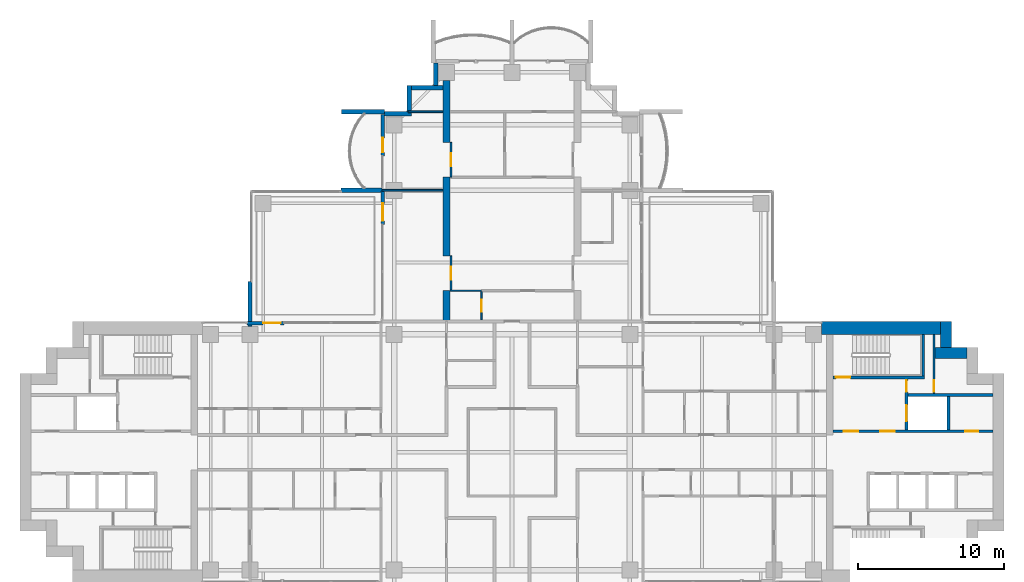
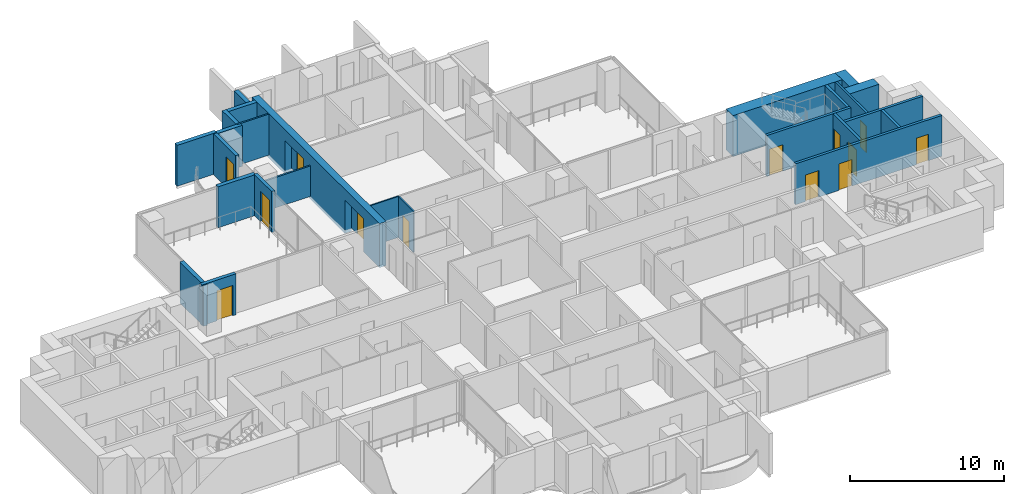
# One storey, part 13 of 18: 27 walls, 13 doors, 13 openings.
"""IFC4 building model written with IfcOpenShell, lengths in metres."""

from ifc_helpers import new_model, si_unit, direction, frame, frame_2d, origin, place, context, subcontext, project, spatial, polyline, rectangle, outline, extrude, material, layer, layer_set, material_profile, profile_set, type_object, element, fill, save


model = new_model("IFC4")

# Units and contexts
model_context = context("Model", 3, precision=1e-05, world=origin(), true_north=direction((0.0, 1.0)))
body_context = subcontext(model_context, "Body", "Model", "MODEL_VIEW")
ifc_project = project(units=[si_unit("LENGTHUNIT", "METRE"), si_unit("AREAUNIT", "SQUARE_METRE"), si_unit("VOLUMEUNIT", "CUBIC_METRE"), si_unit("PLANEANGLEUNIT", "RADIAN"), si_unit("MASSUNIT", "GRAM", prefix="KILO")], contexts=[model_context])

# Site, building, storey
site_placement = place(None, origin())
site = spatial("IfcSite", under=ifc_project, at=site_placement, CompositionType="ELEMENT")
building_placement = place(site_placement, origin())
building = spatial("IfcBuilding", under=site, at=building_placement, Name="Perihelion Cross Residences", CompositionType="ELEMENT")
storey_placement = place(building_placement, frame((0.0, 0.0, 130.39990234375)))
storey = spatial("IfcBuildingStorey", under=building, at=storey_placement, Name="L31", CompositionType="ELEMENT", Elevation=130.39990234375)

# Wall, opening, door
ifc_material_1 = material(Name="Concrete C30/37, bronze-clad", Category="concrete")
ifc_layer_1 = layer(ifc_material_1, 0.25)
ifc_layer_set_1 = layer_set([ifc_layer_1], Name="Bronze-clad pier wall 250")
wall_type_1 = type_object("IfcWallType", Name="Bronze-clad pier wall 250", PredefinedType="SOLIDWALL", material=ifc_layer_set_1)
wall_1_placement = place(storey_placement, frame((-8.875, 23.199951171875, 0.0), z_axis=(0.0, 0.0, 1.0), x_axis=(0.0, -1.0, 0.0)))
wall_1 = element("IfcWall", 1, at=wall_1_placement, inside=storey, type_object=wall_type_1, Name="Wall FW1 L31 north side west bay 1 pier", PredefinedType="SOLIDWALL", context=body_context, shape_type="SweptSolid", body=[
    extrude(rectangle(XDim=2.849853515625, YDim=0.25, at=frame_2d((1.4248046875, 0.0))), origin(), (0.0, 0.0, 1.0), 3.25),
])
opening_1_placement = place(wall_1_placement, frame((1.60009765625, 0.0, 0.0)))
opening_1 = element("IfcOpeningElement", 2, at=opening_1_placement, cuts=wall_1, Name="Opening L31.E06", PredefinedType="OPENING", context=body_context, shape_type="SweptSolid", body=[
    extrude(rectangle(XDim=1.0, YDim=2.39990234375, at=frame_2d((0.5, 1.199951171875))), frame((0.0, 0.135009765625, 0.0), z_axis=(0.0, -1.0, 0.0), x_axis=(1.0, 0.0, 0.0)), (0.0, 0.0, 1.0), 0.27001953125),
])
ifc_material_2 = material(Name="Bronze anodised aluminium, glazed", Category="aluminium")
door_type_1 = type_object("IfcDoorType", Name="Balcony door 1000 x 2400", OperationType="NOTDEFINED", PredefinedType="DOOR", material=ifc_material_2)
door_1_placement = place(opening_1_placement, origin())
door_1 = element("IfcDoor", 3, at=door_1_placement, inside=storey, type_object=door_type_1, Name="Door L31.E06 north side west bay 1", OperationType="SINGLE_SWING_LEFT", OverallHeight=2.39990234375, OverallWidth=1.0, PredefinedType="DOOR", context=body_context, shape_type="SweptSolid", body=[
    extrude(rectangle(XDim=1.0, YDim=2.39990234375, at=frame_2d((0.5, 1.199951171875))), frame((0.0, 0.02490234375, 0.0), z_axis=(0.0, -1.0, 0.0), x_axis=(1.0, 0.0, 0.0)), (0.0, 0.0, 1.0), 0.050048828125),
])
fill(opening_1, door_1)

wall_2_placement = place(storey_placement, frame((-8.875, 17.93994140625, 0.0), z_axis=(0.0, 0.0, 1.0), x_axis=(0.0, -1.0, 0.0)))
wall_2 = element("IfcWall", 4, at=wall_2_placement, inside=storey, type_object=wall_type_1, Name="Wall FW1 L31 north side west bay 2 pier", PredefinedType="SOLIDWALL", context=body_context, shape_type="SweptSolid", body=[
    extrude(rectangle(XDim=2.2900390625, YDim=0.25, at=frame_2d((1.14501953125, 0.0))), origin(), (0.0, 0.0, 1.0), 3.25),
])
opening_2_placement = place(wall_2_placement, frame((0.840087890625, 0.0, 0.0)))
opening_2 = element("IfcOpeningElement", 5, at=opening_2_placement, cuts=wall_2, Name="Opening L31.E07", PredefinedType="OPENING", context=body_context, shape_type="SweptSolid", body=[
    extrude(rectangle(XDim=1.199951171875, YDim=2.39990234375, at=frame_2d((0.60009765625, 1.199951171875))), frame((0.0, 0.135009765625, 0.0), z_axis=(0.0, -1.0, 0.0), x_axis=(1.0, 0.0, 0.0)), (0.0, 0.0, 1.0), 0.27001953125),
])
ifc_material_3 = material(Name="Bronze anodised aluminium, glazed", Category="aluminium")
door_type_2 = type_object("IfcDoorType", Name="Balcony door 1200 x 2400", OperationType="NOTDEFINED", PredefinedType="DOOR", material=ifc_material_3)
door_2_placement = place(opening_2_placement, origin())
door_2 = element("IfcDoor", 6, at=door_2_placement, inside=storey, type_object=door_type_2, Name="Door L31.E07 north side west bay 2", OperationType="SINGLE_SWING_RIGHT", OverallHeight=2.39990234375, OverallWidth=1.199951171875, PredefinedType="DOOR", context=body_context, shape_type="SweptSolid", body=[
    extrude(rectangle(XDim=1.199951171875, YDim=2.39990234375, at=frame_2d((0.60009765625, 1.199951171875))), frame((0.0, 0.02490234375, 0.0), z_axis=(0.0, -1.0, 0.0), x_axis=(1.0, 0.0, 0.0)), (0.0, 0.0, 1.0), 0.050048828125),
])
fill(opening_2, door_2)

wall_3_placement = place(storey_placement, frame((-15.64990234375, 8.875, 0.0), z_axis=(0.0, 0.0, 1.0), x_axis=(-1.0, 0.0, 0.0)))
wall_3 = element("IfcWall", 7, at=wall_3_placement, inside=storey, type_object=wall_type_1, Name="Wall FW1 L31 west side north bay 1 pier", PredefinedType="SOLIDWALL", context=body_context, shape_type="SweptSolid", body=[
    extrude(rectangle(XDim=2.550048828125, YDim=0.25, at=frame_2d((1.27490234375, 0.0))), origin(), (0.0, 0.0, 1.0), 3.25),
])
opening_3_placement = place(wall_3_placement, frame((0.25, 0.0, 0.0)))
opening_3 = element("IfcOpeningElement", 8, at=opening_3_placement, cuts=wall_3, Name="Opening L31.E08", PredefinedType="OPENING", context=body_context, shape_type="SweptSolid", body=[
    extrude(rectangle(XDim=1.199951171875, YDim=2.39990234375, at=frame_2d((0.60009765625, 1.199951171875))), frame((0.0, 0.135009765625, 0.0), z_axis=(0.0, -1.0, 0.0), x_axis=(1.0, 0.0, 0.0)), (0.0, 0.0, 1.0), 0.27001953125),
])
door_3_placement = place(opening_3_placement, origin())
door_3 = element("IfcDoor", 9, at=door_3_placement, inside=storey, type_object=door_type_2, Name="Door L31.E08 west side north bay 1", OperationType="SINGLE_SWING_LEFT", OverallHeight=2.39990234375, OverallWidth=1.199951171875, PredefinedType="DOOR", context=body_context, shape_type="SweptSolid", body=[
    extrude(rectangle(XDim=1.199951171875, YDim=2.39990234375, at=frame_2d((0.60009765625, 1.199951171875))), frame((0.0, 0.02490234375, 0.0), z_axis=(0.0, -1.0, 0.0), x_axis=(1.0, 0.0, 0.0)), (0.0, 0.0, 1.0), 0.050048828125),
])
fill(opening_3, door_3)

# Walls
ifc_material_4 = material(Name="Concrete C30/37, bronze-clad", Category="concrete")
ifc_layer_2 = layer(ifc_material_4, 0.300048828125)
ifc_layer_set_2 = layer_set([ifc_layer_2], Name="Bronze-clad serration wall 300")
wall_type_2 = type_object("IfcWallType", Name="Bronze-clad serration wall 300", PredefinedType="SOLIDWALL", material=ifc_layer_set_2)
wall_4_placement = place(storey_placement, frame((-5.25, 26.75, 0.0), z_axis=(0.0, 0.0, 1.0), x_axis=(0.0, -1.0, 0.0)))
element("IfcWall", 10, at=wall_4_placement, inside=storey, type_object=wall_type_2, Name="Wall SR1 L31 north corner north-west 1", PredefinedType="SOLIDWALL", context=body_context, shape_type="SweptSolid", body=[
    extrude(rectangle(XDim=1.550048828125, YDim=0.300048828125, at=frame_2d((0.77490234375, 0.0))), origin(), (0.0, 0.0, 1.0), 3.25),
])
wall_5_placement = place(storey_placement, frame((-4.75, 25.050048828125, 0.0), z_axis=(0.0, 0.0, 1.0), x_axis=(-1.0, 0.0, 0.0)))
element("IfcWall", 11, at=wall_5_placement, inside=storey, type_object=wall_type_2, Name="Wall SR1 L31 north corner north-west 2", PredefinedType="SOLIDWALL", context=body_context, shape_type="SweptSolid", body=[
    extrude(rectangle(XDim=2.14990234375, YDim=0.300048828125, at=frame_2d((1.074951171875, 0.0))), origin(), (0.0, 0.0, 1.0), 3.25),
])
wall_6_placement = place(storey_placement, frame((-7.050048828125, 25.199951171875, 0.0), z_axis=(0.0, 0.0, 1.0), x_axis=(0.0, -1.0, 0.0)))
element("IfcWall", 12, at=wall_6_placement, inside=storey, type_object=wall_type_2, Name="Wall SR1 L31 north corner north-west 3", PredefinedType="SOLIDWALL", context=body_context, shape_type="SweptSolid", body=[
    extrude(rectangle(XDim=1.800048828125, YDim=0.300048828125, at=frame_2d((0.89990234375, 0.0))), origin(), (0.0, 0.0, 1.0), 3.25),
])
wall_7_placement = place(storey_placement, frame((-6.89990234375, 23.25, 0.0), z_axis=(0.0, 0.0, 1.0), x_axis=(-1.0, 0.0, 0.0)))
element("IfcWall", 13, at=wall_7_placement, inside=storey, type_object=wall_type_2, Name="Wall SR1 L31 north corner north-west 4", PredefinedType="SOLIDWALL", context=body_context, shape_type="SweptSolid", body=[
    extrude(rectangle(XDim=1.85009765625, YDim=0.300048828125, at=frame_2d((0.925048828125, 0.0))), origin(), (0.0, 0.0, 1.0), 3.25),
])
ifc_material_5 = material(Name="Concrete C60/75", Category="concrete")
ifc_layer_3 = layer(ifc_material_5, 0.75)
ifc_layer_set_3 = layer_set([ifc_layer_3], Name="Core wall, outer 750")
wall_type_3 = type_object("IfcWallType", Name="Core wall, outer 750", PredefinedType="SHEAR", material=ifc_layer_set_3)
wall_8_placement = place(storey_placement, frame((29.074951171875, 6.824951171875, 0.0), z_axis=(0.0, 0.0, 1.0), x_axis=(1.0, 0.0, 0.0)))
element("IfcWall", 14, at=wall_8_placement, inside=storey, type_object=wall_type_3, Name="East core core wall, outer", PredefinedType="SHEAR", context=body_context, shape_type="SweptSolid", body=[
    extrude(rectangle(XDim=2.175048828125, YDim=0.75, at=frame_2d((1.08740234375, 0.0))), origin(), (0.0, 0.0, 1.0), 3.25),
])
wall_9_placement = place(storey_placement, frame((29.824951171875, 7.199951171875, 0.0), z_axis=(0.0, 0.0, 1.0), x_axis=(0.0, 1.0, 0.0)))
element("IfcWall", 15, at=wall_9_placement, inside=storey, type_object=wall_type_3, Name="East core core wall, outer", PredefinedType="SHEAR", context=body_context, shape_type="SweptSolid", body=[
    extrude(rectangle(XDim=1.800048828125, YDim=0.75, at=frame_2d((0.89990234375, 0.0))), origin(), (0.0, 0.0, 1.0), 3.25),
])
ifc_material_6 = material(Name="Concrete C60/75", Category="concrete")
ifc_layer_4 = layer(ifc_material_6, 0.89990234375)
ifc_layer_set_4 = layer_set([ifc_layer_4], Name="Core wall, outer 900")
wall_type_4 = type_object("IfcWallType", Name="Core wall, outer 900", PredefinedType="SHEAR", material=ifc_layer_set_4)
wall_10_placement = place(storey_placement, frame((21.25, 8.550048828125, 0.0), z_axis=(0.0, 0.0, 1.0), x_axis=(1.0, 0.0, 0.0)))
element("IfcWall", 16, at=wall_10_placement, inside=storey, type_object=wall_type_4, Name="East core core wall, outer", PredefinedType="SHEAR", context=body_context, shape_type="SweptSolid", body=[
    extrude(rectangle(XDim=8.199951171875, YDim=0.89990234375, at=frame_2d((4.10009765625, 0.0))), origin(), (0.0, 0.0, 1.0), 3.25),
])

# Wall, opening, door
ifc_material_7 = material(Name="Plasterboard partition")
ifc_layer_5 = layer(ifc_material_7, 0.1201171875)
ifc_layer_set_5 = layer_set([ifc_layer_5], Name="Infill panel 120")
wall_type_5 = type_object("IfcWallType", Name="Infill panel 120", PredefinedType="PARTITIONING", material=ifc_layer_set_5)
wall_11_placement = place(storey_placement, frame((-4.18994140625, 11.10009765625, 0.0), z_axis=(0.0, 0.0, 1.0), x_axis=(0.0, 1.0, 0.0)))
wall_11 = element("IfcWall", 17, at=wall_11_placement, inside=storey, type_object=wall_type_5, Name="Partition L31 WI03", PredefinedType="PARTITIONING", context=body_context, shape_type="SweptSolid", body=[
    extrude(rectangle(XDim=2.39990234375, YDim=0.1201171875, at=frame_2d((1.199951171875, 0.0))), origin(), (0.0, 0.0, 1.0), 2.400146484375),
])
opening_4_placement = place(wall_11_placement, frame((0.75, 0.0, 0.0)))
opening_4 = element("IfcOpeningElement", 18, at=opening_4_placement, cuts=wall_11, Name="Opening L31.A51", PredefinedType="OPENING", context=body_context, shape_type="SweptSolid", body=[
    extrude(rectangle(XDim=0.89990234375, YDim=2.10009765625, at=frame_2d((0.449951171875, 1.050048828125))), frame((0.0, 0.070068359375, 0.0), z_axis=(0.0, -1.0, 0.0), x_axis=(1.0, 0.0, 0.0)), (0.0, 0.0, 1.0), 0.14013671875),
])
ifc_material_8 = material(Name="Timber door leaf", Category="wood")
door_type_3 = type_object("IfcDoorType", Name="Interior room door 900 x 2100", OperationType="SINGLE_SWING_LEFT", PredefinedType="DOOR", material=ifc_material_8)
door_4_placement = place(opening_4_placement, origin())
door_4 = element("IfcDoor", 19, at=door_4_placement, inside=storey, type_object=door_type_3, Name="Door L31.A51", OperationType="SINGLE_SWING_RIGHT", OverallHeight=2.10009765625, OverallWidth=0.89990234375, PredefinedType="DOOR", context=body_context, shape_type="SweptSolid", body=[
    extrude(rectangle(XDim=0.89990234375, YDim=2.10009765625, at=frame_2d((0.449951171875, 1.050048828125))), frame((0.0, 0.02490234375, 0.0), z_axis=(0.0, -1.0, 0.0), x_axis=(1.0, 0.0, 0.0)), (0.0, 0.0, 1.0), 0.050048828125),
])
fill(opening_4, door_4)

wall_12_placement = place(storey_placement, frame((-4.18994140625, 18.89990234375, 0.0), z_axis=(0.0, 0.0, 1.0), x_axis=(0.0, 1.0, 0.0)))
wall_12 = element("IfcWall", 20, at=wall_12_placement, inside=storey, type_object=wall_type_5, Name="Partition L31 WI04", PredefinedType="PARTITIONING", context=body_context, shape_type="SweptSolid", body=[
    extrude(rectangle(XDim=2.400146484375, YDim=0.1201171875, at=frame_2d((1.2001953125, 0.0))), origin(), (0.0, 0.0, 1.0), 2.400146484375),
])
opening_5_placement = place(wall_12_placement, frame((0.75, 0.0, 0.0)))
opening_5 = element("IfcOpeningElement", 21, at=opening_5_placement, cuts=wall_12, Name="Opening L31.A52", PredefinedType="OPENING", context=body_context, shape_type="SweptSolid", body=[
    extrude(rectangle(XDim=0.89990234375, YDim=2.10009765625, at=frame_2d((0.449951171875, 1.050048828125))), frame((0.0, 0.070068359375, 0.0), z_axis=(0.0, -1.0, 0.0), x_axis=(1.0, 0.0, 0.0)), (0.0, 0.0, 1.0), 0.14013671875),
])
door_5_placement = place(opening_5_placement, origin())
door_5 = element("IfcDoor", 22, at=door_5_placement, inside=storey, type_object=door_type_3, Name="Door L31.A52", OperationType="SINGLE_SWING_LEFT", OverallHeight=2.10009765625, OverallWidth=0.89990234375, PredefinedType="DOOR", context=body_context, shape_type="SweptSolid", body=[
    extrude(rectangle(XDim=0.89990234375, YDim=2.10009765625, at=frame_2d((0.449951171875, 1.050048828125))), frame((0.0, 0.02490234375, 0.0), z_axis=(0.0, -1.0, 0.0), x_axis=(1.0, 0.0, 0.0)), (0.0, 0.0, 1.0), 0.050048828125),
])
fill(opening_5, door_5)

# Walls
ifc_material_9 = material(Name="Plasterboard partition")
ifc_layer_6 = layer(ifc_material_9, 0.1201171875)
ifc_layer_set_6 = layer_set([ifc_layer_6], Name="Partition wall 120")
wall_type_6 = type_object("IfcWallType", Name="Partition wall 120", PredefinedType="PARTITIONING", material=ifc_layer_set_6)
wall_13_placement = place(storey_placement, frame((-8.919921875, 18.0, 0.0), z_axis=(0.0, 0.0, 1.0), x_axis=(1.0, 0.0, 0.0)))
element("IfcWall", 23, at=wall_13_placement, inside=storey, type_object=wall_type_6, Name="Partition L31 W072", PredefinedType="PARTITIONING", context=body_context, shape_type="SweptSolid", body=[
    extrude(rectangle(XDim=4.169921875, YDim=0.1201171875, at=frame_2d((2.0849609375, 0.0))), origin(), (0.0, 0.0, 1.0), 2.4140625),
])
wall_14_placement = place(storey_placement, frame((-7.1201171875, 23.39990234375, 0.0), z_axis=(0.0, 0.0, 1.0), x_axis=(1.0, 0.0, 0.0)))
element("IfcWall", 24, at=wall_14_placement, inside=storey, type_object=wall_type_6, Name="Partition L31 W073", PredefinedType="PARTITIONING", context=body_context, shape_type="SweptSolid", body=[
    extrude(rectangle(XDim=2.3701171875, YDim=0.1201171875, at=frame_2d((1.18505859375, 0.0))), origin(), (0.0, 0.0, 1.0), 3.25),
])
ifc_material_10 = material(Name="Precast concrete C50/60", Category="concrete")
ifc_layer_7 = layer(ifc_material_10, 0.300048828125)
ifc_layer_set_7 = layer_set([ifc_layer_7], Name="Precast concrete C50/60 blade wall 300")
wall_type_7 = type_object("IfcWallType", Name="Precast concrete C50/60 blade wall 300", PredefinedType="SOLIDWALL", material=ifc_layer_set_7)
wall_15_placement = place(storey_placement, frame((-18.0, 8.64990234375, 0.0), z_axis=(0.0, 0.0, 1.0), x_axis=(0.0, 1.0, 0.0)))
element("IfcWall", 25, at=wall_15_placement, inside=storey, type_object=wall_type_7, Name="Wall BL1 L31 no. 2", PredefinedType="SOLIDWALL", context=body_context, shape_type="SweptSolid", body=[
    extrude(rectangle(XDim=3.090087890625, YDim=0.300048828125, at=frame_2d((1.544921875, 0.0))), origin(), (0.0, 0.0, 1.0), 3.25),
])
wall_16_placement = place(storey_placement, frame((-8.919921875, 18.0, 0.0), z_axis=(0.0, 0.0, 1.0), x_axis=(-1.0, 0.0, 0.0)))
element("IfcWall", 26, at=wall_16_placement, inside=storey, type_object=wall_type_7, Name="Wall BL1 L31 no. 6", PredefinedType="SOLIDWALL", context=body_context, shape_type="SweptSolid", body=[
    extrude(rectangle(XDim=2.820068359375, YDim=0.300048828125, at=frame_2d((1.41015625, 0.0))), origin(), (0.0, 0.0, 1.0), 3.25),
])
wall_17_placement = place(storey_placement, frame((-8.75, 23.39990234375, 0.0), z_axis=(0.0, 0.0, 1.0), x_axis=(-1.0, 0.0, 0.0)))
element("IfcWall", 27, at=wall_17_placement, inside=storey, type_object=wall_type_7, Name="Wall BL1 L31 no. 7", PredefinedType="SOLIDWALL", context=body_context, shape_type="SweptSolid", body=[
    extrude(rectangle(XDim=2.949951171875, YDim=0.300048828125, at=frame_2d((1.47509765625, 0.0))), origin(), (0.0, 0.0, 1.0), 3.25),
])

# Wall, opening, door
ifc_material_11 = material(Name="Fire-rated board on steel stud", Category="steel")
ifc_layer_8 = layer(ifc_material_11, 0.14990234375)
ifc_layer_set_8 = layer_set([ifc_layer_8], Name="Riser wall 150")
wall_type_8 = type_object("IfcWallType", Name="Riser wall 150", PredefinedType="PARTITIONING", material=ifc_layer_set_8)
wall_18_placement = place(storey_placement, frame((29.0, 4.050048828125, 0.0), z_axis=(0.0, 0.0, 1.0), x_axis=(0.0, 1.0, 0.0)))
wall_18 = element("IfcWall", 28, at=wall_18_placement, inside=storey, type_object=wall_type_8, Name="East core riser wall", PredefinedType="PARTITIONING", context=body_context, shape_type="SweptSolid", body=[
    extrude(rectangle(XDim=4.050048828125, YDim=0.14990234375, at=frame_2d((2.02490234375, 0.0))), origin(), (0.0, 0.0, 1.0), 3.25),
])
opening_6_placement = place(wall_18_placement, frame((0.10009765625, 0.0, 0.0)))
opening_6 = element("IfcOpeningElement", 29, at=opening_6_placement, cuts=wall_18, Name="Opening L31.C12", PredefinedType="OPENING", context=body_context, shape_type="SweptSolid", body=[
    extrude(rectangle(XDim=0.800048828125, YDim=2.10009765625, at=frame_2d((0.39990234375, 1.050048828125))), frame((0.0, 0.0849609375, 0.0), z_axis=(0.0, -1.0, 0.0), x_axis=(1.0, 0.0, 0.0)), (0.0, 0.0, 1.0), 0.169921875),
])
ifc_material_12 = material(Name="Steel, powder coated", Category="steel")
door_type_4 = type_object("IfcDoorType", Name="Riser door 800", OperationType="SINGLE_SWING_LEFT", PredefinedType="DOOR", material=ifc_material_12)
door_6_placement = place(opening_6_placement, origin())
door_6 = element("IfcDoor", 30, at=door_6_placement, inside=storey, type_object=door_type_4, Name="East core riser door", OperationType="SINGLE_SWING_LEFT", OverallHeight=2.10009765625, OverallWidth=0.800048828125, PredefinedType="DOOR", context=body_context, shape_type="SweptSolid", body=[
    extrude(rectangle(XDim=0.800048828125, YDim=2.10009765625, at=frame_2d((0.39990234375, 1.050048828125))), frame((0.0, 0.02490234375, 0.0), z_axis=(0.0, -1.0, 0.0), x_axis=(1.0, 0.0, 0.0)), (0.0, 0.0, 1.0), 0.050048828125),
])
fill(opening_6, door_6)

# Wall, openings, doors
ifc_material_13 = material(Name="Concrete C50/60", Category="concrete")
ifc_layer_9 = layer(ifc_material_13, 0.199951171875)
ifc_layer_set_9 = layer_set([ifc_layer_9], Name="Shaft wall 200")
wall_type_9 = type_object("IfcWallType", Name="Shaft wall 200", PredefinedType="SOLIDWALL", material=ifc_layer_set_9)
wall_19_placement = place(storey_placement, frame((22.050048828125, 1.449951171875, 0.0), z_axis=(0.0, 0.0, 1.0), x_axis=(1.0, 0.0, 0.0)))
wall_19 = element("IfcWall", 31, at=wall_19_placement, inside=storey, type_object=wall_type_9, Name="East core shaft wall", PredefinedType="SOLIDWALL", context=body_context, shape_type="SweptSolid", body=[
    extrude(rectangle(XDim=11.0, YDim=0.199951171875, at=frame_2d((5.5, 0.0))), origin(), (0.0, 0.0, 1.0), 3.25),
])
opening_7_placement = place(wall_19_placement, frame((0.75, 0.0, 0.0)))
opening_7 = element("IfcOpeningElement", 32, at=opening_7_placement, cuts=wall_19, Name="Opening L31.C07", PredefinedType="OPENING", context=body_context, shape_type="SweptSolid", body=[
    extrude(rectangle(XDim=1.0, YDim=2.10009765625, at=frame_2d((0.5, 1.050048828125))), frame((0.0, 0.10986328125, 0.0), z_axis=(0.0, -1.0, 0.0), x_axis=(1.0, 0.0, 0.0)), (0.0, 0.0, 1.0), 0.219970703125),
])
opening_8_placement = place(wall_19_placement, frame((3.25, 0.0, 0.0)))
opening_8 = element("IfcOpeningElement", 33, at=opening_8_placement, cuts=wall_19, Name="Opening L31.C09", PredefinedType="OPENING", context=body_context, shape_type="SweptSolid", body=[
    extrude(rectangle(XDim=1.0, YDim=2.10009765625, at=frame_2d((0.5, 1.050048828125))), frame((0.0, 0.10986328125, 0.0), z_axis=(0.0, -1.0, 0.0), x_axis=(1.0, 0.0, 0.0)), (0.0, 0.0, 1.0), 0.219970703125),
])
opening_9_placement = place(wall_19_placement, frame((9.074951171875, 0.0, 0.0)))
opening_9 = element("IfcOpeningElement", 34, at=opening_9_placement, cuts=wall_19, Name="Opening L31.C13", PredefinedType="OPENING", context=body_context, shape_type="SweptSolid", body=[
    extrude(rectangle(XDim=0.89990234375, YDim=2.10009765625, at=frame_2d((0.449951171875, 1.050048828125))), frame((0.0, 0.10986328125, 0.0), z_axis=(0.0, -1.0, 0.0), x_axis=(1.0, 0.0, 0.0)), (0.0, 0.0, 1.0), 0.219970703125),
])
ifc_material_14 = material(Name="Steel, powder coated", Category="steel")
door_type_5 = type_object("IfcDoorType", Name="Lobby door 1000", OperationType="SINGLE_SWING_LEFT", PredefinedType="DOOR", material=ifc_material_14)
door_7_placement = place(opening_7_placement, origin())
door_7 = element("IfcDoor", 35, at=door_7_placement, inside=storey, type_object=door_type_5, Name="East core firefighting lobby door", OperationType="SINGLE_SWING_LEFT", OverallHeight=2.10009765625, OverallWidth=1.0, PredefinedType="DOOR", context=body_context, shape_type="SweptSolid", body=[
    extrude(rectangle(XDim=1.0, YDim=2.10009765625, at=frame_2d((0.5, 1.050048828125))), frame((0.0, 0.02490234375, 0.0), z_axis=(0.0, -1.0, 0.0), x_axis=(1.0, 0.0, 0.0)), (0.0, 0.0, 1.0), 0.050048828125),
])
fill(opening_7, door_7)
door_8_placement = place(opening_8_placement, origin())
door_8 = element("IfcDoor", 36, at=door_8_placement, inside=storey, type_object=door_type_5, Name="East core firefighting lobby door", OperationType="SINGLE_SWING_LEFT", OverallHeight=2.10009765625, OverallWidth=1.0, PredefinedType="DOOR", context=body_context, shape_type="SweptSolid", body=[
    extrude(rectangle(XDim=1.0, YDim=2.10009765625, at=frame_2d((0.5, 1.050048828125))), frame((0.0, 0.02490234375, 0.0), z_axis=(0.0, -1.0, 0.0), x_axis=(1.0, 0.0, 0.0)), (0.0, 0.0, 1.0), 0.050048828125),
])
fill(opening_8, door_8)
ifc_material_15 = material(Name="Steel, powder coated", Category="steel")
door_type_6 = type_object("IfcDoorType", Name="Service room door 900", OperationType="SINGLE_SWING_LEFT", PredefinedType="DOOR", material=ifc_material_15)
door_9_placement = place(opening_9_placement, origin())
door_9 = element("IfcDoor", 37, at=door_9_placement, inside=storey, type_object=door_type_6, Name="East core service room door", OperationType="SINGLE_SWING_LEFT", OverallHeight=2.10009765625, OverallWidth=0.89990234375, PredefinedType="DOOR", context=body_context, shape_type="SweptSolid", body=[
    extrude(rectangle(XDim=0.89990234375, YDim=2.10009765625, at=frame_2d((0.449951171875, 1.050048828125))), frame((0.0, 0.02490234375, 0.0), z_axis=(0.0, -1.0, 0.0), x_axis=(1.0, 0.0, 0.0)), (0.0, 0.0, 1.0), 0.050048828125),
])
fill(opening_9, door_9)

# Wall
wall_20_placement = place(storey_placement, frame((27.199951171875, 3.949951171875, 0.0), z_axis=(0.0, 0.0, 1.0), x_axis=(1.0, 0.0, 0.0)))
element("IfcWall", 38, at=wall_20_placement, inside=storey, type_object=wall_type_9, Name="East core shaft wall", PredefinedType="SOLIDWALL", context=body_context, shape_type="SweptSolid", body=[
    extrude(rectangle(XDim=5.85009765625, YDim=0.199951171875, at=frame_2d((2.925048828125, 0.0))), origin(), (0.0, 0.0, 1.0), 3.25),
])

# Wall, openings, doors
wall_21_placement = place(storey_placement, frame((27.10009765625, 1.550048828125, 0.0), z_axis=(0.0, 0.0, 1.0), x_axis=(0.0, 1.0, 0.0)))
wall_21 = element("IfcWall", 39, at=wall_21_placement, inside=storey, type_object=wall_type_9, Name="East core shaft wall", PredefinedType="SOLIDWALL", context=body_context, shape_type="SweptSolid", body=[
    extrude(rectangle(XDim=3.5, YDim=0.199951171875, at=frame_2d((1.75, 0.0))), origin(), (0.0, 0.0, 1.0), 3.25),
])
opening_10_placement = place(wall_21_placement, frame((0.60009765625, 0.0, 0.0)))
opening_10 = element("IfcOpeningElement", 40, at=opening_10_placement, cuts=wall_21, Name="Opening L31.C02", PredefinedType="OPENING", context=body_context, shape_type="SweptSolid", body=[
    extrude(rectangle(XDim=1.10009765625, YDim=2.10009765625, at=frame_2d((0.550048828125, 1.050048828125))), frame((0.0, 0.10986328125, 0.0), z_axis=(0.0, -1.0, 0.0), x_axis=(1.0, 0.0, 0.0)), (0.0, 0.0, 1.0), 0.219970703125),
])
opening_11_placement = place(wall_21_placement, frame((2.60009765625, 0.0, 0.0)))
opening_11 = element("IfcOpeningElement", 41, at=opening_11_placement, cuts=wall_21, Name="Opening L31.C10", PredefinedType="OPENING", context=body_context, shape_type="SweptSolid", body=[
    extrude(rectangle(XDim=0.800048828125, YDim=2.10009765625, at=frame_2d((0.39990234375, 1.050048828125))), frame((0.0, 0.10986328125, 0.0), z_axis=(0.0, -1.0, 0.0), x_axis=(1.0, 0.0, 0.0)), (0.0, 0.0, 1.0), 0.219970703125),
])
ifc_material_16 = material(Name="Stainless steel", Category="steel")
door_type_7 = type_object("IfcDoorType", Name="Landing door, firefighting lift 1100", OperationType="DOUBLE_DOOR_SLIDING", PredefinedType="DOOR", material=ifc_material_16)
door_10_placement = place(opening_10_placement, origin())
door_10 = element("IfcDoor", 42, at=door_10_placement, inside=storey, type_object=door_type_7, Name="Landing door, East core firefighting and service lift", OperationType="DOUBLE_DOOR_SLIDING", OverallHeight=2.10009765625, OverallWidth=1.10009765625, PredefinedType="DOOR", context=body_context, shape_type="SweptSolid", body=[
    extrude(rectangle(XDim=1.10009765625, YDim=2.10009765625, at=frame_2d((0.550048828125, 1.050048828125))), frame((0.0, 0.02490234375, 0.0), z_axis=(0.0, -1.0, 0.0), x_axis=(1.0, 0.0, 0.0)), (0.0, 0.0, 1.0), 0.050048828125),
])
fill(opening_10, door_10)
door_11_placement = place(opening_11_placement, origin())
door_11 = element("IfcDoor", 43, at=door_11_placement, inside=storey, type_object=door_type_4, Name="East core riser door", OperationType="SINGLE_SWING_LEFT", OverallHeight=2.10009765625, OverallWidth=0.800048828125, PredefinedType="DOOR", context=body_context, shape_type="SweptSolid", body=[
    extrude(rectangle(XDim=0.800048828125, YDim=2.10009765625, at=frame_2d((0.39990234375, 1.050048828125))), frame((0.0, 0.02490234375, 0.0), z_axis=(0.0, -1.0, 0.0), x_axis=(1.0, 0.0, 0.0)), (0.0, 0.0, 1.0), 0.050048828125),
])
fill(opening_11, door_11)

# Wall
wall_22_placement = place(storey_placement, frame((30.0, 1.550048828125, 0.0), z_axis=(0.0, 0.0, 1.0), x_axis=(0.0, 1.0, 0.0)))
element("IfcWall", 44, at=wall_22_placement, inside=storey, type_object=wall_type_9, Name="East core shaft wall", PredefinedType="SOLIDWALL", context=body_context, shape_type="SweptSolid", body=[
    extrude(rectangle(XDim=2.300048828125, YDim=0.199951171875, at=frame_2d((1.14990234375, 0.0))), origin(), (0.0, 0.0, 1.0), 3.25),
])

# Wall, opening, door
ifc_material_17 = material(Name="Concrete C50/60", Category="concrete")
ifc_layer_10 = layer(ifc_material_17, 0.199951171875)
ifc_layer_set_10 = layer_set([ifc_layer_10], Name="Stair wall 200")
wall_type_10 = type_object("IfcWallType", Name="Stair wall 200", PredefinedType="SOLIDWALL", material=ifc_layer_set_10)
wall_23_placement = place(storey_placement, frame((22.050048828125, 5.14990234375, 0.0), z_axis=(0.0, 0.0, 1.0), x_axis=(1.0, 0.0, 0.0)))
wall_23 = element("IfcWall", 45, at=wall_23_placement, inside=storey, type_object=wall_type_10, Name="East core stair wall", PredefinedType="SOLIDWALL", context=body_context, shape_type="SweptSolid", body=[
    extrude(rectangle(XDim=6.300048828125, YDim=0.199951171875, at=frame_2d((3.14990234375, 0.0))), origin(), (0.0, 0.0, 1.0), 3.25),
])
opening_12_placement = place(wall_23_placement, frame((0.199951171875, 0.0, 0.0)))
opening_12 = element("IfcOpeningElement", 46, at=opening_12_placement, cuts=wall_23, Name="Opening L31.C06", PredefinedType="OPENING", context=body_context, shape_type="SweptSolid", body=[
    extrude(rectangle(XDim=1.0, YDim=2.10009765625, at=frame_2d((0.5, 1.050048828125))), frame((0.0, 0.10986328125, 0.0), z_axis=(0.0, -1.0, 0.0), x_axis=(1.0, 0.0, 0.0)), (0.0, 0.0, 1.0), 0.219970703125),
])
ifc_material_18 = material(Name="Steel, powder coated", Category="steel")
door_type_8 = type_object("IfcDoorType", Name="Stair door 1000", OperationType="SINGLE_SWING_LEFT", PredefinedType="DOOR", material=ifc_material_18)
door_12_placement = place(opening_12_placement, origin())
door_12 = element("IfcDoor", 47, at=door_12_placement, inside=storey, type_object=door_type_8, Name="East core stair door", OperationType="SINGLE_SWING_LEFT", OverallHeight=2.10009765625, OverallWidth=1.0, PredefinedType="DOOR", context=body_context, shape_type="SweptSolid", body=[
    extrude(rectangle(XDim=1.0, YDim=2.10009765625, at=frame_2d((0.5, 1.050048828125))), frame((0.0, 0.02490234375, 0.0), z_axis=(0.0, -1.0, 0.0), x_axis=(1.0, 0.0, 0.0)), (0.0, 0.0, 1.0), 0.050048828125),
])
fill(opening_12, door_12)

# Walls
wall_24_placement = place(storey_placement, frame((28.25, 5.25, 0.0), z_axis=(0.0, 0.0, 1.0), x_axis=(0.0, 1.0, 0.0)))
element("IfcWall", 48, at=wall_24_placement, inside=storey, type_object=wall_type_10, Name="East core stair wall", PredefinedType="SOLIDWALL", context=body_context, shape_type="SweptSolid", body=[
    extrude(rectangle(XDim=2.85009765625, YDim=0.199951171875, at=frame_2d((1.425048828125, 0.0))), origin(), (0.0, 0.0, 1.0), 3.25),
])
ifc_material_19 = material(Name="Concrete C60/75", Category="concrete")
ifc_material_profile = material_profile(ifc_material_19, outline(polyline([(0.0, 0.0), (2.10009765625, 0.0), (2.10009765625, 2.64990234375), (4.5, 2.64990234375), (4.5, 0.0), (9.89990234375, 0.0), (9.89990234375, 2.64990234375), (12.300048828125, 2.64990234375), (12.300048828125, 0.0), (16.550048828125, 0.0), (16.550048828125, 3.5), (0.0, 3.5), (0.0, 0.0)])), Name="Tip spine wall")
ifc_profile_set = profile_set([ifc_material_profile], Name="Concrete C60/75")
wall_type_11 = type_object("IfcWallType", Name="Tip spine wall 500 with 2 door openings 16550 long 3500 high concrete C60/75", PredefinedType="SHEAR", material=ifc_profile_set)
wall_25_placement = place(storey_placement, frame((-4.75, 9.0, -0.25), z_axis=(1.0, 0.0, 0.0), x_axis=(0.0, 1.0, 0.0)))
element("IfcWall", 49, at=wall_25_placement, inside=storey, type_object=wall_type_11, Name="Shear wall SW34 L31 north west", PredefinedType="SHEAR", context=body_context, shape_type="SweptSolid", body=[
    extrude(outline(polyline([(0.0, 0.0), (2.10009765625, 0.0), (2.10009765625, 2.64990234375), (4.5, 2.64990234375), (4.5, 0.0), (9.89990234375, 0.0), (9.89990234375, 2.64990234375), (12.300048828125, 2.64990234375), (12.300048828125, 0.0), (16.550048828125, 0.0), (16.550048828125, 3.5), (0.0, 3.5), (0.0, 0.0)])), origin(), (0.0, 0.0, 1.0), 0.5),
])

# Wall, opening, door
ifc_material_20 = material(Name="Plasterboard partition")
ifc_layer_11 = layer(ifc_material_20, 0.10009765625)
ifc_layer_set_11 = layer_set([ifc_layer_11], Name="Wet room wall 100")
wall_type_12 = type_object("IfcWallType", Name="Wet room wall 100", PredefinedType="PARTITIONING", material=ifc_layer_set_11)
wall_26_placement = place(storey_placement, frame((-2.10009765625, 9.10009765625, 0.0), z_axis=(0.0, 0.0, 1.0), x_axis=(0.0, 1.0, 0.0)))
wall_26 = element("IfcWall", 50, at=wall_26_placement, inside=storey, type_object=wall_type_12, Name="Partition L31 W061", PredefinedType="PARTITIONING", context=body_context, shape_type="SweptSolid", body=[
    extrude(rectangle(XDim=1.93994140625, YDim=0.10009765625, at=frame_2d((0.969970703125, 0.0))), origin(), (0.0, 0.0, 1.0), 3.25),
])
opening_13_placement = place(wall_26_placement, frame((0.544921875, 0.0, 0.0)))
opening_13 = element("IfcOpeningElement", 51, at=opening_13_placement, cuts=wall_26, Name="Opening L31.A33", PredefinedType="OPENING", context=body_context, shape_type="SweptSolid", body=[
    extrude(rectangle(XDim=0.85009765625, YDim=2.10009765625, at=frame_2d((0.425048828125, 1.050048828125))), frame((0.0, 0.06005859375, 0.0), z_axis=(0.0, -1.0, 0.0), x_axis=(1.0, 0.0, 0.0)), (0.0, 0.0, 1.0), 0.1201171875),
])
ifc_material_21 = material(Name="Timber door leaf", Category="wood")
door_type_9 = type_object("IfcDoorType", Name="Interior bathroom door 850 x 2100", OperationType="SINGLE_SWING_LEFT", PredefinedType="DOOR", material=ifc_material_21)
door_13_placement = place(opening_13_placement, origin())
door_13 = element("IfcDoor", 52, at=door_13_placement, inside=storey, type_object=door_type_9, Name="Door L31.A33", OperationType="SINGLE_SWING_LEFT", OverallHeight=2.10009765625, OverallWidth=0.85009765625, PredefinedType="DOOR", context=body_context, shape_type="SweptSolid", body=[
    extrude(rectangle(XDim=0.85009765625, YDim=2.10009765625, at=frame_2d((0.425048828125, 1.050048828125))), frame((0.0, 0.02490234375, 0.0), z_axis=(0.0, -1.0, 0.0), x_axis=(1.0, 0.0, 0.0)), (0.0, 0.0, 1.0), 0.050048828125),
])
fill(opening_13, door_13)

# Wall
wall_27_placement = place(storey_placement, frame((-4.25, 11.10009765625, 0.0), z_axis=(0.0, 0.0, 1.0), x_axis=(1.0, 0.0, 0.0)))
element("IfcWall", 53, at=wall_27_placement, inside=storey, type_object=wall_type_12, Name="Partition L31 W063", PredefinedType="PARTITIONING", context=body_context, shape_type="SweptSolid", body=[
    extrude(rectangle(XDim=2.14990234375, YDim=0.10009765625, at=frame_2d((1.074951171875, 0.0))), origin(), (0.0, 0.0, 1.0), 3.25),
])

save(model, "model.ifc")
